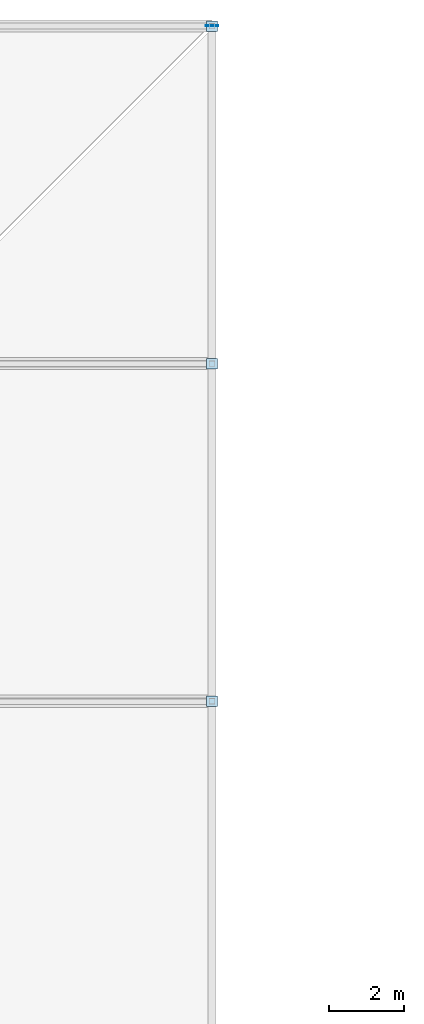
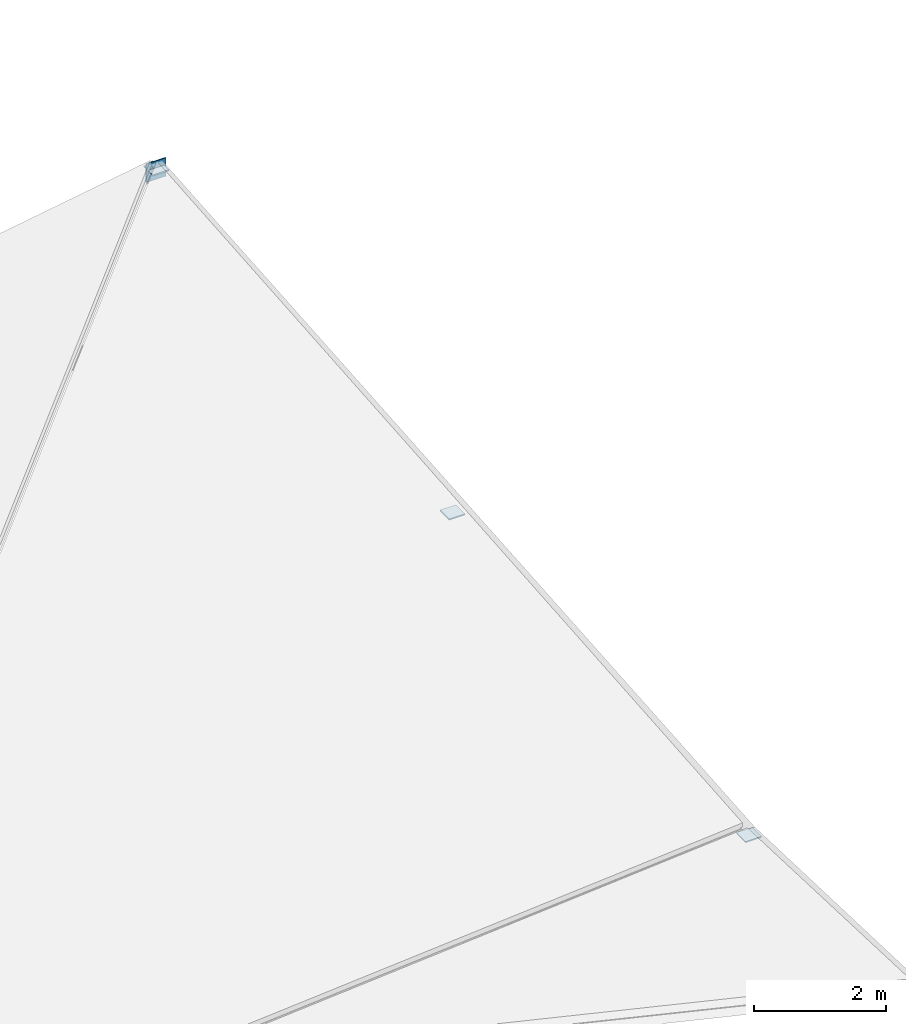
# One storey, part 40 of 44: 4 plates.
"""IFC4 building model written with IfcOpenShell, lengths in metres."""

import ifcopenshell
import ifcopenshell.guid

model = None  # the IFC model being written
_history = None  # IfcOwnerHistory: only IFC2X3 demands one
_inside = {}  # id of a spatial element -> (the spatial element, [elements in it])
_under = {}  # id of a project, library or spatial element -> (it, [spatial elements below it])
_declared = {}  # id of a project -> (the project, [libraries it declares])
_typed = {}  # id of a type object -> (the type object, [elements of that type])
_made_of = {}  # id of a material, layer set ... -> (it, [elements and type objects made of it])


def new_model(schema):
    """Start an empty IFC model of exactly this schema.

    Asked for "IFC4X3", IfcOpenShell would pick the latest addendum, in which some entities
    have other attributes; the version numbers below select the first issue.
    IFC2X3 requires an IfcOwnerHistory on every rooted entity: one is made here for all.
    """
    global model, _history
    if schema == "IFC4X3":
        model = ifcopenshell.file(schema_version=(4, 3, 0, 0))
    else:
        model = ifcopenshell.file(schema=schema)
    _inside.clear()
    _under.clear()
    _declared.clear()
    _typed.clear()
    _made_of.clear()
    _history = None
    if model.schema == "IFC2X3":
        org = make("IfcOrganization", Name="unknown")
        user = make(
            "IfcPersonAndOrganization",
            ThePerson=make("IfcPerson", FamilyName="unknown"),
            TheOrganization=org,
        )
        app = make(
            "IfcApplication",
            ApplicationDeveloper=org,
            Version="unknown",
            ApplicationFullName="unknown",
            ApplicationIdentifier="unknown",
        )
        _history = make(
            "IfcOwnerHistory",
            OwningUser=user,
            OwningApplication=app,
            ChangeAction="ADDED",
            CreationDate=0,
        )
    return model


def make(cls, **values):
    """One entity of the class cls with the attributes given. An attribute that is None is left unset."""
    return model.create_entity(
        cls, **{name: value for name, value in values.items() if value is not None}
    )


def rooted(cls, **values):
    """An entity with a GlobalId (a new one), such as an element, a storey or a relation."""
    return make(cls, GlobalId=ifcopenshell.guid.new(), OwnerHistory=_history, **values)


def si_unit(unit_type, name, prefix=None):
    """IfcSIUnit, for example si_unit("LENGTHUNIT", "METRE", prefix="MILLI")."""
    return make("IfcSIUnit", UnitType=unit_type, Prefix=prefix, Name=name)


def assignment(units):
    """IfcUnitAssignment: the units of a project."""
    return None if units is None else make("IfcUnitAssignment", Units=units)


def point(xyz):
    """IfcCartesianPoint."""
    return None if xyz is None else make("IfcCartesianPoint", Coordinates=xyz)


def direction(xyz):
    """IfcDirection."""
    return None if xyz is None else make("IfcDirection", DirectionRatios=xyz)


def frame(location, z_axis=None, x_axis=None):
    """IfcAxis2Placement3D, a coordinate frame: its origin and axes. An axis left out is left unset."""
    return make(
        "IfcAxis2Placement3D",
        Location=point(location),
        Axis=direction(z_axis),
        RefDirection=direction(x_axis),
    )


def frame_2d(location, x_axis=None):
    """IfcAxis2Placement2D, a coordinate frame in the plane: its origin and x axis."""
    return make(
        "IfcAxis2Placement2D", Location=point(location), RefDirection=direction(x_axis)
    )


def origin():
    """The frame at (0, 0, 0) with its axes left unset."""
    return frame((0.0, 0.0, 0.0))


def origin_2d():
    """The frame at (0, 0) in the plane with its x axis left unset."""
    return frame_2d((0.0, 0.0))


def place(relative_to, where):
    """IfcLocalPlacement: puts the frame where relative to a parent placement (None: the world)."""
    return make(
        "IfcLocalPlacement", PlacementRelTo=relative_to, RelativePlacement=where
    )


def context(
    kind, dimensions, precision=None, world=None, true_north=None, identifier=None
):
    """IfcGeometricRepresentationContext, for example the 3D "Model" context."""
    return make(
        "IfcGeometricRepresentationContext",
        ContextIdentifier=identifier,
        ContextType=kind,
        CoordinateSpaceDimension=dimensions,
        Precision=precision,
        WorldCoordinateSystem=world,
        TrueNorth=true_north,
    )


def subcontext(parent, identifier, kind, view, scale=None):
    """IfcGeometricRepresentationSubContext, for example "Body" below "Model"."""
    return make(
        "IfcGeometricRepresentationSubContext",
        ContextIdentifier=identifier,
        ContextType=kind,
        ParentContext=parent,
        TargetScale=scale,
        TargetView=view,
    )


def project(units=None, contexts=None):
    """IfcProject with its units and contexts."""
    return rooted(
        "IfcProject",
        Name="project",
        RepresentationContexts=contexts,
        UnitsInContext=assignment(units),
    )


def spatial(cls, under=None, at=None, **own):
    """A site, building, storey or space (cls), placed at a placement, below another one or the project."""
    s = rooted(cls, ObjectPlacement=at, **own)
    if under is not None:
        _under.setdefault(under.id(), (under, []))[1].append(s)
    return s


def profile(cls, at=None, kind="AREA", **sizes):
    """A parametric profile (cls). Its sizes go by their IFC names, for example OverallWidth=200.0."""
    return make(cls, ProfileType=kind, Position=at, **sizes)


def rectangle(**sizes):
    """IfcRectangleProfileDef."""
    return profile("IfcRectangleProfileDef", **sizes)


def extrude(swept, where, along, depth):
    """IfcExtrudedAreaSolid: the profile swept, set in the frame where, extruded along a direction by depth."""
    return make(
        "IfcExtrudedAreaSolid",
        SweptArea=swept,
        Position=where,
        ExtrudedDirection=direction(along),
        Depth=depth,
    )


def shape(context_of_items, identifier, shape_type, items):
    """IfcShapeRepresentation: the items that make up one representation, for example the "Body"."""
    return make(
        "IfcShapeRepresentation",
        ContextOfItems=context_of_items,
        RepresentationIdentifier=identifier,
        RepresentationType=shape_type,
        Items=items,
    )


def material(Name=None, Category=None):
    """IfcMaterial."""
    return make("IfcMaterial", Name=Name, Category=Category)


def layer(
    of_material, thickness, ventilated=None, Name=None, Category=None, Priority=None
):
    """IfcMaterialLayer: one layer of a wall or slab, of a material (None: an air gap)."""
    return make(
        "IfcMaterialLayer",
        Material=of_material,
        LayerThickness=thickness,
        IsVentilated=ventilated,
        Name=Name,
        Category=Category,
        Priority=Priority,
    )


def layer_set(layers, Name=None):
    """IfcMaterialLayerSet."""
    return make("IfcMaterialLayerSet", MaterialLayers=layers, LayerSetName=Name)


def made_of(thing, what):
    """Note that an element or type object is made of a material, layer set ...; save() writes the relation."""
    if what is not None:
        _made_of.setdefault(what.id(), (what, []))[1].append(thing)
    return thing


def type_object(cls, material=None, **own):
    """A type object (cls), such as IfcWallType, which elements share."""
    return made_of(rooted(cls, **own), material)


def element(
    cls,
    number,
    at=None,
    inside=None,
    cuts=None,
    type_object=None,
    material=None,
    context=None,
    identifier="Body",
    shape_type=None,
    held_by="IfcProductDefinitionShape",
    body=None,
    shapes=None,
    **own,
):
    """One element of the class cls, such as IfcWall. Its Tag is "e" and its number.

    at: its placement. inside: the storey or other place that contains it. cuts: it is an
    opening in that element (IfcRelVoidsElement). A single representation is given by context,
    identifier, shape_type and body (its items); several are given by shapes. held_by: the class
    of the entity that holds the representations. save() writes the other relations.
    """
    e = rooted(cls, Tag="e%d" % number, ObjectPlacement=at, **own)
    if body is not None:
        shapes = [shape(context, identifier, shape_type, body)]
    if shapes is not None:
        e.Representation = make(held_by, Representations=shapes)
    if inside is not None:
        _inside.setdefault(inside.id(), (inside, []))[1].append(e)
    if cuts is not None:
        rooted(
            "IfcRelVoidsElement", RelatingBuildingElement=cuts, RelatedOpeningElement=e
        )
    if type_object is not None:
        _typed.setdefault(type_object.id(), (type_object, []))[1].append(e)
    return made_of(e, material)


def aggregate(whole, parts):
    """IfcRelAggregates: a whole, such as a stair, and the parts it consists of."""
    return rooted("IfcRelAggregates", RelatingObject=whole, RelatedObjects=parts)


def save(model, path):
    """Write the relations noted so far, then the file.

    IfcRelAggregates (storeys below a building ...), IfcRelContainedInSpatialStructure (elements
    in a storey), IfcRelDefinesByType, IfcRelAssociatesMaterial and IfcRelDeclares: one each for
    every whole, place, type object, material and project.
    """
    for whole, parts in _under.values():
        aggregate(whole, parts)
    for where, things in _inside.values():
        rooted(
            "IfcRelContainedInSpatialStructure",
            RelatedElements=things,
            RelatingStructure=where,
        )
    for kind, things in _typed.values():
        rooted("IfcRelDefinesByType", RelatedObjects=things, RelatingType=kind)
    for what, things in _made_of.values():
        rooted("IfcRelAssociatesMaterial", RelatedObjects=things, RelatingMaterial=what)
    for by, libraries in _declared.values():
        rooted("IfcRelDeclares", RelatingContext=by, RelatedDefinitions=libraries)
    model.write(path)


model = new_model("IFC4")

# Units and contexts
model_context = context("Model", 3, precision=1e-05, world=origin(), true_north=direction((0.0, 1.0)))
body_context = subcontext(model_context, "Body", "Model", "MODEL_VIEW")
ifc_project = project(units=[si_unit("LENGTHUNIT", "METRE"), si_unit("AREAUNIT", "SQUARE_METRE"), si_unit("VOLUMEUNIT", "CUBIC_METRE"), si_unit("PLANEANGLEUNIT", "RADIAN"), si_unit("MASSUNIT", "GRAM", prefix="KILO")], contexts=[model_context])

# Site, building, storey
site_placement = place(None, origin())
site = spatial("IfcSite", under=ifc_project, at=site_placement, CompositionType="ELEMENT")
building_placement = place(site_placement, origin())
building = spatial("IfcBuilding", under=site, at=building_placement, Name="Deido Ridge Mobility Hub", CompositionType="ELEMENT")
storey_placement = place(building_placement, frame((0.0, 0.0, 25.199951171875)))
storey = spatial("IfcBuildingStorey", under=building, at=storey_placement, Name="L06", CompositionType="ELEMENT", Elevation=25.199951171875)

# Plates
ifc_material = material(Name="Steel S355J2 EN 10025-2", Category="steel")
ifc_layer = layer(ifc_material, 0.02197265625, Name="Steel S355J2 EN 10025-2")
ifc_layer_set = layer_set([ifc_layer], Name="Steel S355J2 EN 10025-2")
plate_type = type_object("IfcPlateType", Name="PLT-CAP-22", PredefinedType="USERDEFINED", material=ifc_layer_set)
for number, where, z_axis, x_axis, name in (
    (1, (99.0, 63.0, 1.583984375), (0.0, 0.0, 1.0), (1.0, 0.0, 0.0), "Hollow member sealed end-cap plate EC2-239"),
    (2, (99.0, 72.0, 2.10400390625), (0.0, 0.0, 1.0), (1.0, 0.0, 0.0), "Hollow member sealed end-cap plate EC2-241"),
    (3, (99.0, 81.0, 3.024169921875), (0.0, 0.0, 1.0), (1.0, 0.0, 0.0), "Hollow member sealed end-cap plate EC2-243"),
):
    element("IfcPlate", number, at=place(storey_placement, frame(where, z_axis=z_axis, x_axis=x_axis)), inside=storey, type_object=plate_type, Name=name, ObjectType="END CAP PLATE", PredefinedType="USERDEFINED", context=body_context, shape_type="SweptSolid", body=[
        extrude(rectangle(XDim=0.280029296875, YDim=0.280029296875, at=origin_2d()), origin(), (0.0, 0.0, 1.0), 0.02197265625),
    ])
plate_placement = place(storey_placement, frame((99.0, 81.011962890625, 2.830078125), z_axis=(0.0, 0.0, 1.0), x_axis=(1.0, 0.0, 0.0)))
element("IfcPlate", 4, at=plate_placement, inside=storey, type_object=plate_type, Name="Hollow member sealed end-cap plate EC2-247", ObjectType="END CAP PLATE", PredefinedType="USERDEFINED", context=body_context, shape_type="SweptSolid", body=[
    extrude(rectangle(XDim=0.340087890625, YDim=0.02197265625, at=origin_2d()), origin(), (0.0, 0.0, 1.0), 0.340087890625),
])

save(model, "model.ifc")
